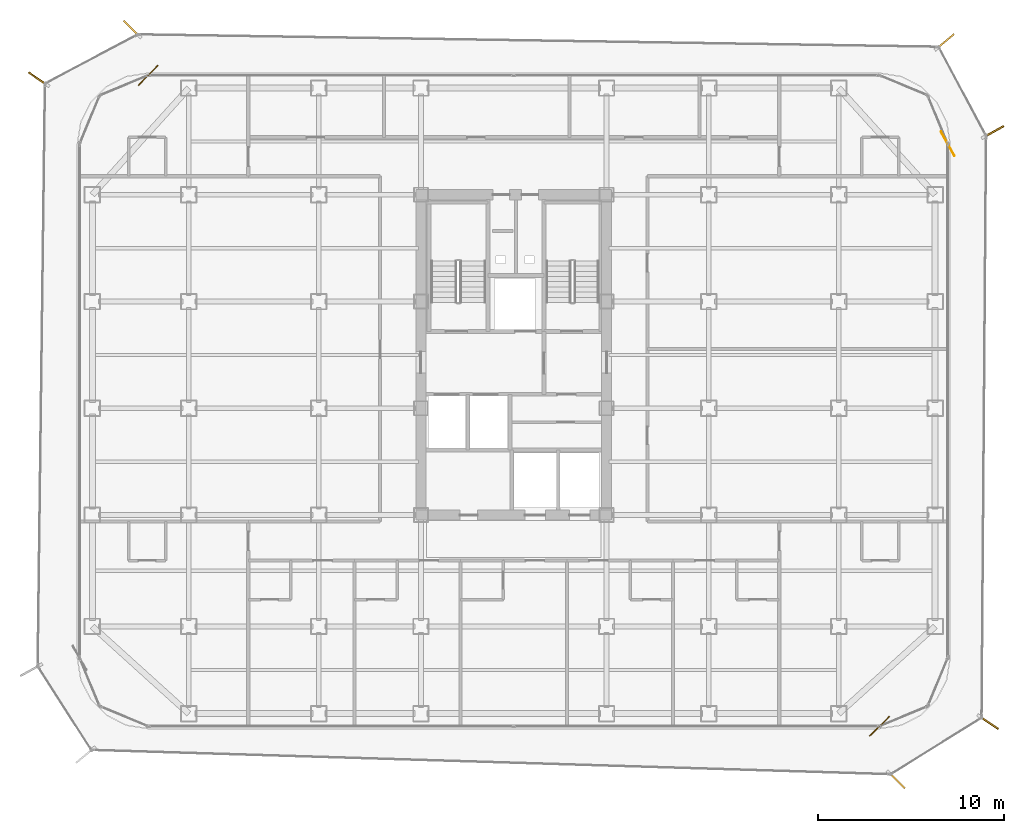
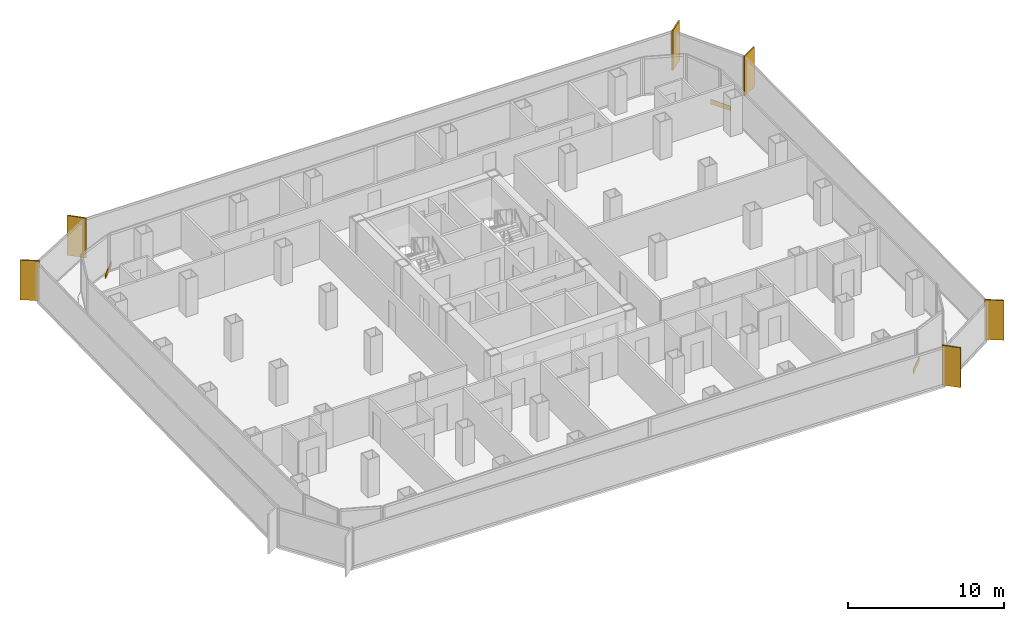
# One storey, part 21 of 21: 6 shading devices, 3 coverings.
"""IFC4 building model written with IfcOpenShell, lengths in metres."""

from ifc_helpers import new_model, si_unit, direction, frame, origin, origin_2d, place, context, subcontext, project, spatial, rectangle, extrude, source, transform, mapped, material, layer, layer_set, type_object, element, save


model = new_model("IFC4")

# Units and contexts
model_context = context("Model", 3, precision=1e-05, world=origin(), true_north=direction((0.0, 1.0)))
body_context = subcontext(model_context, "Body", "Model", "MODEL_VIEW")
ifc_project = project(units=[si_unit("LENGTHUNIT", "METRE"), si_unit("AREAUNIT", "SQUARE_METRE"), si_unit("VOLUMEUNIT", "CUBIC_METRE"), si_unit("PLANEANGLEUNIT", "RADIAN"), si_unit("MASSUNIT", "GRAM", prefix="KILO")], contexts=[model_context])

# Site, building, storey
site_placement = place(None, origin())
site = spatial("IfcSite", under=ifc_project, at=site_placement, CompositionType="ELEMENT")
building_placement = place(site_placement, origin())
building = spatial("IfcBuilding", under=site, at=building_placement, Name="Kolveth Station Tower", CompositionType="ELEMENT")
storey_placement = place(building_placement, frame((0.0, 0.0, 99.10009765625)))
storey = spatial("IfcBuildingStorey", under=building, at=storey_placement, Name="L26", CompositionType="ELEMENT", Elevation=99.10009765625)

# Shading devices
ifc_material_1 = material(Name="Black anodized aluminium 6063-T6", Category="aluminium")
shading_device_type = type_object("IfcShadingDeviceType", Name="FIN_VF1", PredefinedType="USERDEFINED", material=ifc_material_1)
shared_shape_1 = source(origin(), body_context, "Body", "SweptSolid", [
    extrude(rectangle(XDim=1.25, YDim=0.090087890625, at=origin_2d()), origin(), (0.0, 0.0, 1.0), 3.10009765625),
])
for number, where, z_axis, x_axis, name in (
    (1, (44.1220703125, -2.782958984375, -0.000244140625), (0.0, 0.0, 1.0), (0.710308238555, -0.703890763003, 0.0), "L26 Dark-Aluminium Solar Fin 1"),
    (2, (49.080078125, 0.3310546875, -0.000244140625), (0.0, 0.0, 1.0), (0.828060334622, -0.560638994563, 0.0), "L26 Dark-Aluminium Solar Fin 2"),
    (3, (49.341064453125, 32.14501953125, -0.000244140625), (0.0, 0.0, 1.0), (0.8721546725, 0.489230239495, 0.0), "L26 Dark-Aluminium Solar Fin 3"),
    (4, (46.738037109375, 37.006103515625, -0.000244140625), (0.0, 0.0, 1.0), (0.76839523211, 0.639975598965, 0.0), "L26 Dark-Aluminium Solar Fin 4"),
    (5, (2.922119140625, 37.697998046875, -0.000244140625), (0.0, 0.0, 1.0), (-0.716301943425, 0.697790459842, 0.0), "L26 Dark-Aluminium Solar Fin 5"),
    (6, (-2.117919921875, 34.990966796875, -0.000244140625), (0.0, 0.0, 1.0), (-0.828158171974, 0.560494462233, 0.0), "L26 Dark-Aluminium Solar Fin 6"),
):
    element("IfcShadingDevice", number, at=place(storey_placement, frame(where, z_axis=z_axis, x_axis=x_axis)), inside=storey, type_object=shading_device_type, Name=name, ObjectType="FIN", PredefinedType="USERDEFINED", context=body_context, shape_type="MappedRepresentation", body=[
        mapped(shared_shape_1, transform((0.0, 0.0, 0.0), x_axis=(1.0, 0.0, 0.0), y_axis=(0.0, 1.0, 0.0), z_axis=(0.0, 0.0, 1.0), scale=1.0)),
    ])

# Coverings
ifc_material_2 = material(Name="Charcoal anodized aluminium spandrel cladding", Category="aluminium")
ifc_layer = layer(ifc_material_2, 0.044921875)
ifc_layer_set = layer_set([ifc_layer], Name="Charcoal anodized aluminium spandrel cladding")
covering_type = type_object("IfcCoveringType", Name="Clad_CD1", PredefinedType="CLADDING", material=ifc_layer_set)
shared_shape_2 = source(origin(), body_context, "Body", "SweptSolid", [
    extrude(rectangle(XDim=1.5, YDim=0.044921875, at=origin_2d()), origin(), (0.0, 0.0, 1.0), 0.360107421875),
])
for number, where, z_axis, x_axis, name in (
    (7, (43.199951171875, 0.1201171875, 0.0), (0.0, 0.0, 1.0), (0.703890763003, 0.710308238555, 0.0), "L26 Spandrel Edge Cladding 1"),
    (8, (46.8798828125, 31.5, 0.0), (0.0, 0.0, 1.0), (-0.489230239495, 0.8721546725, 0.0), "L26 Spandrel Edge Cladding 3"),
    (9, (3.800048828125, 35.179931640625, 0.0), (0.0, 0.0, 1.0), (-0.697790459842, -0.716301943425, 0.0), "L26 Spandrel Edge Cladding 5"),
):
    element("IfcCovering", number, at=place(storey_placement, frame(where, z_axis=z_axis, x_axis=x_axis)), inside=storey, type_object=covering_type, Name=name, PredefinedType="CLADDING", context=body_context, shape_type="MappedRepresentation", body=[
        mapped(shared_shape_2, transform((0.0, 0.0, 0.0), x_axis=(1.0, 0.0, 0.0), y_axis=(0.0, 1.0, 0.0), z_axis=(0.0, 0.0, 1.0), scale=1.0)),
    ])

save(model, "model.ifc")
